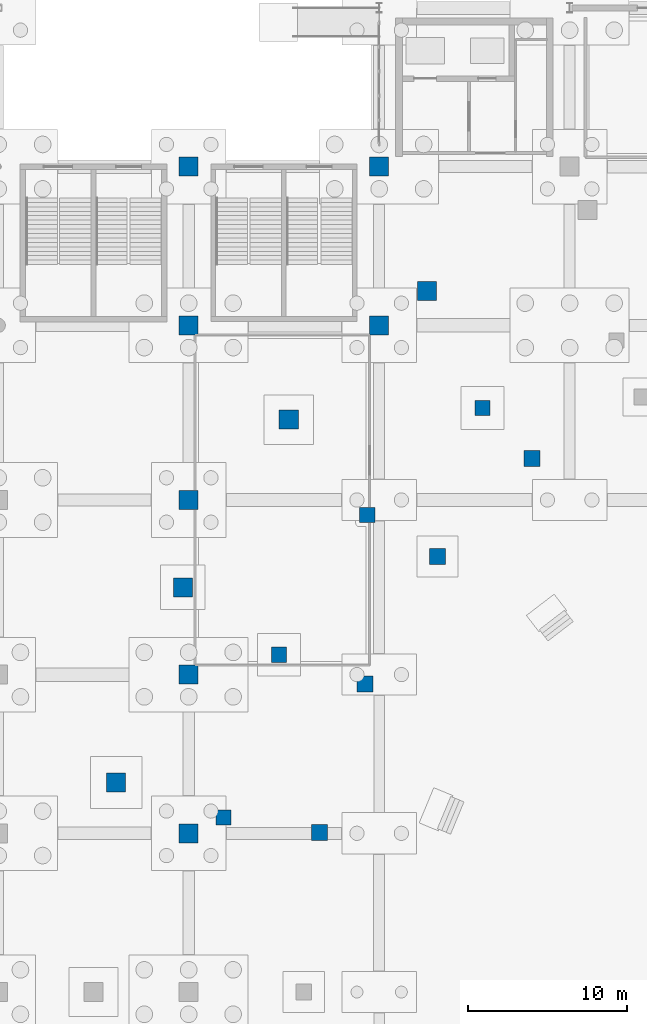
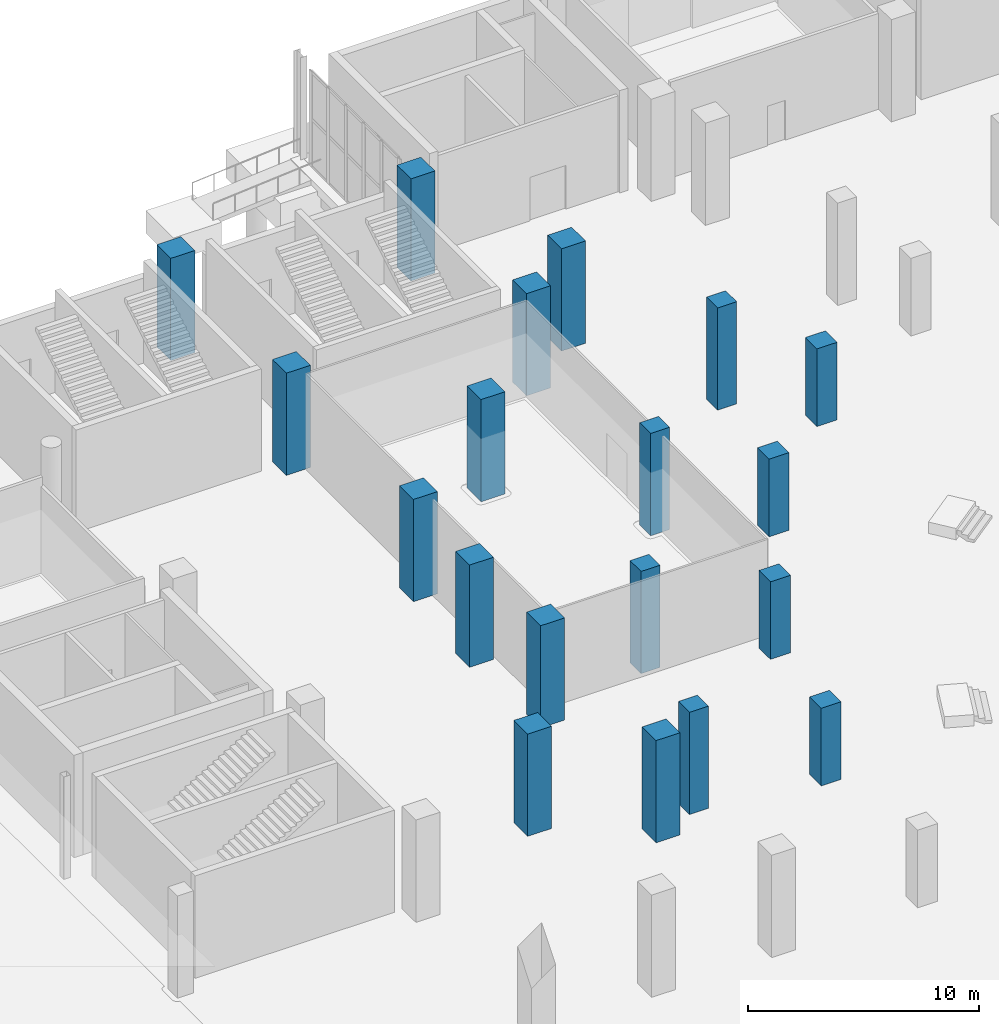
# One storey, part 20 of 70: 19 columns.
"""IFC4 building model written with IfcOpenShell, lengths in metres."""

from ifc_helpers import new_model, si_unit, direction, frame, origin, origin_2d, place, context, subcontext, project, spatial, rectangle, extrude, material, material_profile, profile_set, type_object, element, save


model = new_model("IFC4")

# Units and contexts
model_context = context("Model", 3, precision=1e-05, world=origin(), true_north=direction((0.0, 1.0)))
body_context = subcontext(model_context, "Body", "Model", "MODEL_VIEW")
ifc_project = project(units=[si_unit("LENGTHUNIT", "METRE"), si_unit("AREAUNIT", "SQUARE_METRE"), si_unit("VOLUMEUNIT", "CUBIC_METRE"), si_unit("PLANEANGLEUNIT", "RADIAN"), si_unit("MASSUNIT", "GRAM", prefix="KILO")], contexts=[model_context])

# Site, building, storey
site_placement = place(None, origin())
site = spatial("IfcSite", under=ifc_project, at=site_placement, CompositionType="ELEMENT")
building_placement = place(site_placement, origin())
building = spatial("IfcBuilding", under=site, at=building_placement, Name="Brinegate Civic Arena", CompositionType="ELEMENT")
storey_placement = place(building_placement, origin())
storey = spatial("IfcBuildingStorey", under=building, at=storey_placement, Name="L00", CompositionType="ELEMENT", Elevation=0.0)

# Columns
ifc_material = material(Name="Concrete C50/60", Category="concrete")
ifc_material_profile_1 = material_profile(ifc_material, rectangle(XDim=1.199951171875, YDim=1.199951171875, at=origin_2d()), Name="RC1200X1200")
ifc_profile_set_1 = profile_set([ifc_material_profile_1], Name="Concrete C50/60")
column_type_1 = type_object("IfcColumnType", Name="COL-CC01-1200", PredefinedType="COLUMN", material=ifc_profile_set_1)
for number, where, z_axis, x_axis, name in (
    (1, (72.0, 72.0, 0.0), (0.0, 0.0, 1.0), (1.0, 0.0, 0.0), "Column COL-L00-7-H"),
    (2, (72.0, 82.0, 0.0), (0.0, 0.0, 1.0), (1.0, 0.0, 0.0), "Column COL-L00-7-J"),
    (3, (72.0, 93.0, 0.0), (0.0, 0.0, 1.0), (1.0, 0.0, 0.0), "Column COL-L00-7-K"),
    (4, (72.0, 104.0, 0.0), (0.0, 0.0, 1.0), (1.0, 0.0, 0.0), "Column COL-L00-7-L"),
    (5, (72.0, 114.0, 0.0), (0.0, 0.0, 1.0), (1.0, 0.0, 0.0), "Column COL-L00-7-M"),
    (6, (84.0, 104.0, 0.0), (0.0, 0.0, 1.0), (1.0, 0.0, 0.0), "Column COL-L00-8-L"),
    (7, (84.0, 114.0, 0.0), (0.0, 0.0, 1.0), (1.0, 0.0, 0.0), "Column COL-L00-8-M"),
    (8, (87.0, 106.1669921875, 0.0), (0.0, 0.0, 1.0), (1.0, 0.0, 0.0), "Bowl Raker Column OUT-09-L00"),
    (9, (78.302001953125, 98.06201171875, 0.0), (0.0, 0.0, 1.0), (1.0, 0.0, 0.0), "Bowl Raker Column OUT-10-L00"),
    (10, (71.626953125, 87.5, 0.0), (0.0, 0.0, 1.0), (1.0, 0.0, 0.0), "Bowl Raker Column OUT-11-L00"),
    (11, (67.430908203125, 75.199951171875, 0.0), (0.0, 0.0, 1.0), (1.0, 0.0, 0.0), "Bowl Raker Column OUT-12-L00"),
):
    element("IfcColumn", number, at=place(storey_placement, frame(where, z_axis=z_axis, x_axis=x_axis)), inside=storey, type_object=column_type_1, Name=name, PredefinedType="COLUMN", context=body_context, shape_type="SweptSolid", body=[
        extrude(rectangle(XDim=1.199951171875, YDim=1.199951171875, at=origin_2d()), origin(), (0.0, 0.0, 1.0), 5.39990234375),
    ])
ifc_material_profile_2 = material_profile(ifc_material, rectangle(XDim=1.0, YDim=1.0, at=origin_2d()), Name="RC1000X1000")
ifc_profile_set_2 = profile_set([ifc_material_profile_2], Name="Concrete C50/60")
column_type_2 = type_object("IfcColumnType", Name="COL-CC03-1000", PredefinedType="COLUMN", material=ifc_profile_set_2)
for number, where, z_axis, x_axis, name in (
    (12, (93.625, 95.612060546875, 0.0), (0.0, 0.0, 1.0), (1.0, 0.0, 0.0), "Bowl Raker Column MID-09"),
    (13, (87.6708984375, 89.444091796875, 0.0), (0.0, 0.0, 1.0), (1.0, 0.0, 0.0), "Bowl Raker Column MID-10"),
    (14, (83.10205078125, 81.406005859375, 0.0), (0.0, 0.0, 1.0), (1.0, 0.0, 0.0), "Bowl Raker Column MID-11"),
    (15, (80.22998046875, 72.044921875, 0.0), (0.0, 0.0, 1.0), (1.0, 0.0, 0.0), "Bowl Raker Column MID-12"),
):
    element("IfcColumn", number, at=place(storey_placement, frame(where, z_axis=z_axis, x_axis=x_axis)), inside=storey, type_object=column_type_2, Name=name, PredefinedType="COLUMN", context=body_context, shape_type="SweptSolid", body=[
        extrude(rectangle(XDim=1.0, YDim=1.0, at=origin_2d()), origin(), (0.0, 0.0, 1.0), 4.10009765625),
    ])
ifc_material_profile_3 = material_profile(ifc_material, rectangle(XDim=0.949951171875, YDim=0.949951171875, at=origin_2d()), Name="RC950X950")
ifc_profile_set_3 = profile_set([ifc_material_profile_3], Name="Concrete C50/60")
column_type_3 = type_object("IfcColumnType", Name="COL-CC04-950", PredefinedType="COLUMN", material=ifc_profile_set_3)
for number, where, z_axis, x_axis, name in (
    (16, (90.5, 98.805908203125, 0.0), (0.0, 0.0, 1.0), (1.0, 0.0, 0.0), "Upper Raker Inner Column UIN-09-L00"),
    (17, (83.2509765625, 92.052001953125, 0.0), (0.0, 0.0, 1.0), (1.0, 0.0, 0.0), "Upper Raker Inner Column UIN-10-L00"),
    (18, (77.68896484375, 83.25, 0.0), (0.0, 0.0, 1.0), (1.0, 0.0, 0.0), "Upper Raker Inner Column UIN-11-L00"),
    (19, (74.193115234375, 73.0, 0.0), (0.0, 0.0, 1.0), (1.0, 0.0, 0.0), "Upper Raker Inner Column UIN-12-L00"),
):
    element("IfcColumn", number, at=place(storey_placement, frame(where, z_axis=z_axis, x_axis=x_axis)), inside=storey, type_object=column_type_3, Name=name, PredefinedType="COLUMN", context=body_context, shape_type="SweptSolid", body=[
        extrude(rectangle(XDim=0.949951171875, YDim=0.949951171875, at=origin_2d()), origin(), (0.0, 0.0, 1.0), 5.39990234375),
    ])

save(model, "model.ifc")
